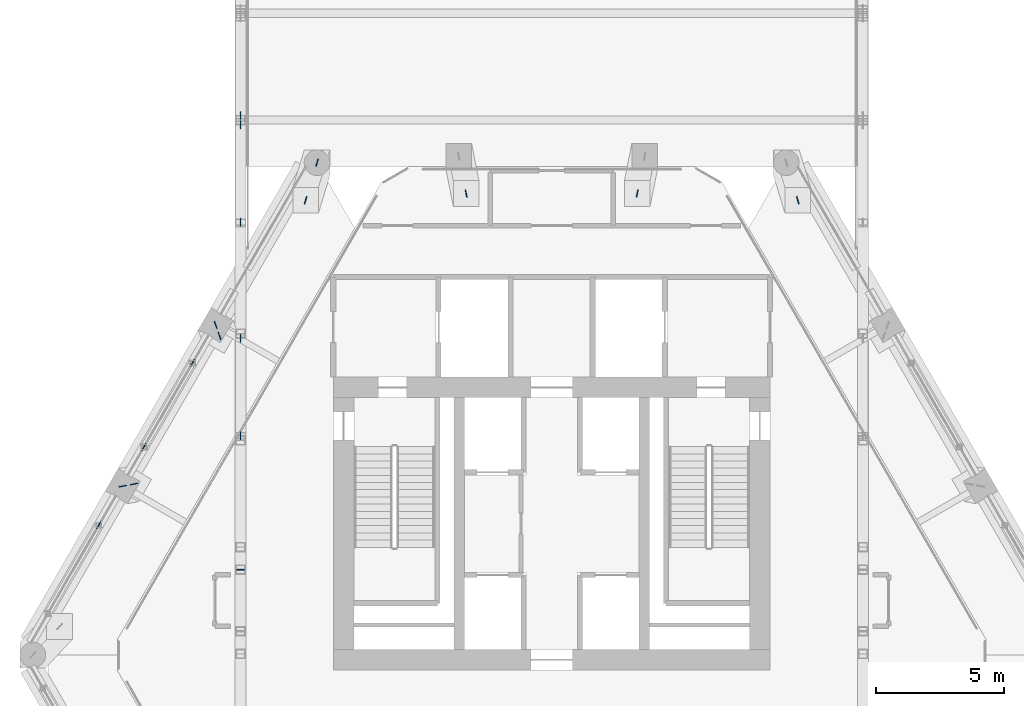
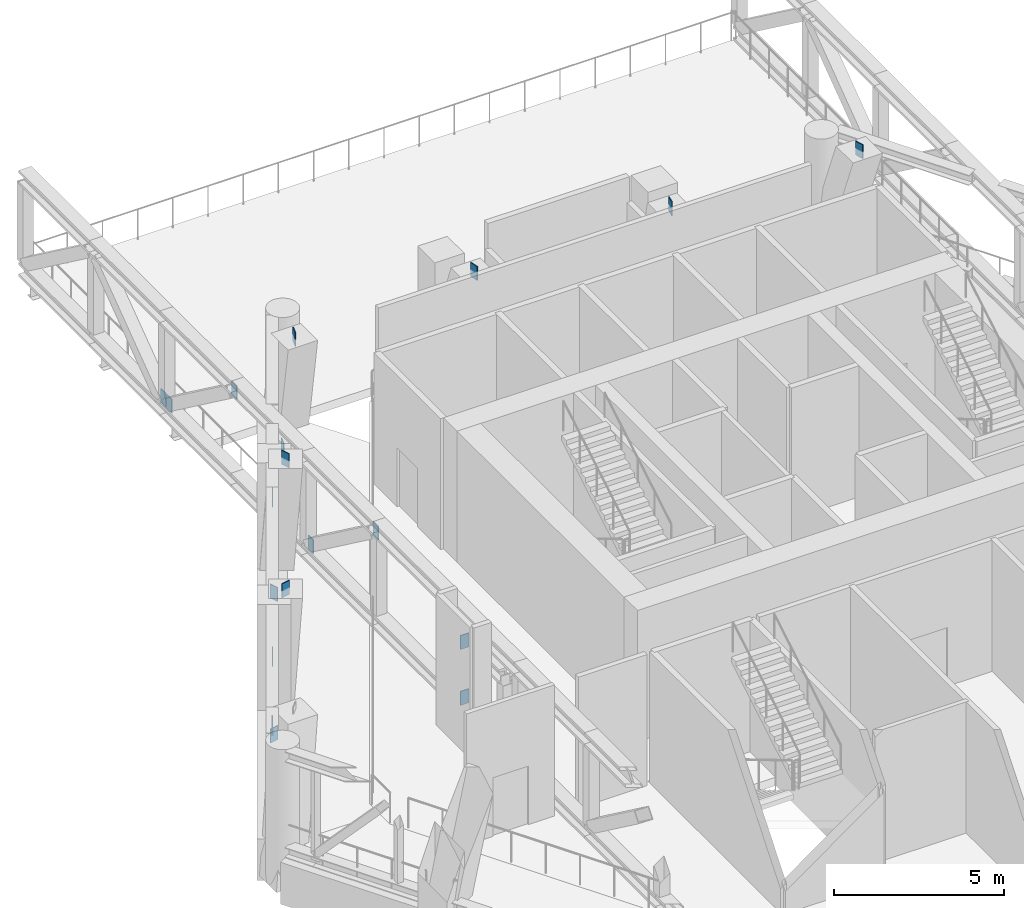
# One storey, part 15 of 22: 19 discrete accessories.
"""IFC4 building model written with IfcOpenShell, lengths in metres."""

from ifc_helpers import new_model, si_unit, direction, frame, origin, origin_2d, place, context, subcontext, project, spatial, rectangle, extrude, material, layer, layer_set, type_object, element, save


model = new_model("IFC4")

# Units and contexts
model_context = context("Model", 3, precision=1e-05, world=origin(), true_north=direction((0.0, 1.0)))
body_context = subcontext(model_context, "Body", "Model", "MODEL_VIEW")
ifc_project = project(units=[si_unit("LENGTHUNIT", "METRE"), si_unit("AREAUNIT", "SQUARE_METRE"), si_unit("VOLUMEUNIT", "CUBIC_METRE"), si_unit("PLANEANGLEUNIT", "RADIAN"), si_unit("MASSUNIT", "GRAM", prefix="KILO")], contexts=[model_context])

# Site, building, storey
site_placement = place(None, origin())
site = spatial("IfcSite", under=ifc_project, at=site_placement, CompositionType="ELEMENT")
building_placement = place(site_placement, origin())
building = spatial("IfcBuilding", under=site, at=building_placement, Name="Ostrander Bayou Hotel Tower", CompositionType="ELEMENT")
storey_placement = place(building_placement, frame((0.0, 0.0, 209.5)))
storey = spatial("IfcBuildingStorey", under=building, at=storey_placement, Name="L52", CompositionType="ELEMENT", Elevation=209.5)

# Discrete accessories
ifc_material = material(Name="Steel ASTM A572 Gr 50", Category="steel")
ifc_layer = layer(ifc_material, 0.030029296875)
ifc_layer_set = layer_set([ifc_layer], Name="GP1 gusset plate 30 mm")
discrete_accessory_type = type_object("IfcDiscreteAccessoryType", Name="GP1 gusset plate 30 mm", PredefinedType="BRACKET", material=ifc_layer_set)
for number, where, z_axis, x_axis, name in (
    (1, (-15.872314453125, 6.98291015625, 0.117919921875), (0.0, 0.0, 1.0), (0.500015114919, 0.866016677006, 0.0), "GP1 gusset plate belt 33"),
    (2, (-13.9833984375, 10.25439453125, 3.18212890625), (0.0, 0.0, 1.0), (0.500015114919, 0.866016677006, 0.0), "GP1 gusset plate belt 34"),
    (3, (-17.632568359375, 3.93408203125, 0.117919921875), (0.0, 0.0, 1.0), (-0.5, -0.866025403784, 0.0), "GP1 gusset plate belt 35"),
    (4, (-12.110107421875, 19.884521484375, 0.247802734375), (0.0, 0.0, 1.0), (0.0, 1.0, 0.0), "GP1 gusset plate bar 167"),
    (5, (-12.110107421875, 19.52880859375, 0.247802734375), (0.0, 0.0, 1.0), (0.0, -1.0, 0.0), "GP1 gusset plate bar 169"),
    (6, (-12.110107421875, 15.729736328125, 3.05224609375), (0.0, 0.0, 1.0), (0.0, -1.0, 0.0), "GP1 gusset plate bar 170"),
    (7, (-12.110107421875, 11.219482421875, 0.247802734375), (0.0, 0.0, 1.0), (0.0, -1.0, 0.0), "GP1 gusset plate bar 171"),
    (8, (-12.110107421875, 7.42041015625, 3.05224609375), (0.0, 0.0, 1.0), (0.0, -1.0, 0.0), "GP1 gusset plate bar 172"),
    (9, (-12.110107421875, 2.21044921875, 0.247802734375), (0.0, 0.0, 1.0), (1.0, 0.0, 0.0), "GP1 gusset plate bar 173"),
    (10, (-12.110107421875, 2.21044921875, 2.25), (0.0, 0.0, 1.0), (1.0, 0.0, 0.0), "GP1 gusset plate bar 174"),
    (11, (-9.133544921875, 18.04541015625, -1.449951171875), (0.0, 0.0, 1.0), (-0.291503669765, -0.956569710222, 0.0), "GP1 gusset plate belt 121"),
    (12, (-9.577392578125, 16.588623046875, 3.550048828125), (0.0, 0.0, 1.0), (-0.291503669765, -0.956569710222, 0.0), "GP1 gusset plate belt 122"),
    (13, (9.577392578125, 16.588623046875, 3.550048828125), (0.0, 0.0, 1.0), (0.291503669765, -0.956569710222, 0.0), "GP1 gusset plate belt 132"),
    (14, (3.329345703125, 16.85009765625, 3.550048828125), (0.0, 0.0, 1.0), (-0.195278615676, -0.980747807675, 0.0), "GP1 gusset plate belt 134"),
    (15, (-3.329345703125, 16.85009765625, 3.550048828125), (0.0, 0.0, 1.0), (0.195278615676, -0.980747807675, 0.0), "GP1 gusset plate belt 136"),
    (16, (-13.075439453125, 11.726806640625, -1.449951171875), (0.0, 0.0, 1.0), (0.332737251807, -0.943019576287, 0.0), "GP1 gusset plate belt 137"),
    (17, (-12.927734375, 11.308349609375, 3.550048828125), (0.0, 0.0, 1.0), (0.332737251807, -0.943019576287, 0.0), "GP1 gusset plate belt 138"),
    (18, (-16.693603515625, 5.460205078125, -1.449951171875), (0.0, 0.0, 1.0), (0.983044335008, 0.183368032681, 0.0), "GP1 gusset plate belt 139"),
    (19, (-16.257080078125, 5.541748046875, 3.550048828125), (0.0, 0.0, 1.0), (0.983044335008, 0.183368032681, 0.0), "GP1 gusset plate belt 140"),
):
    element("IfcDiscreteAccessory", number, at=place(storey_placement, frame(where, z_axis=z_axis, x_axis=x_axis)), inside=storey, type_object=discrete_accessory_type, Name=name, PredefinedType="BRACKET", context=body_context, shape_type="SweptSolid", body=[
        extrude(rectangle(XDim=0.300048828125, YDim=0.030029296875, at=origin_2d()), origin(), (0.0, 0.0, 1.0), 0.5),
    ])

save(model, "model.ifc")
